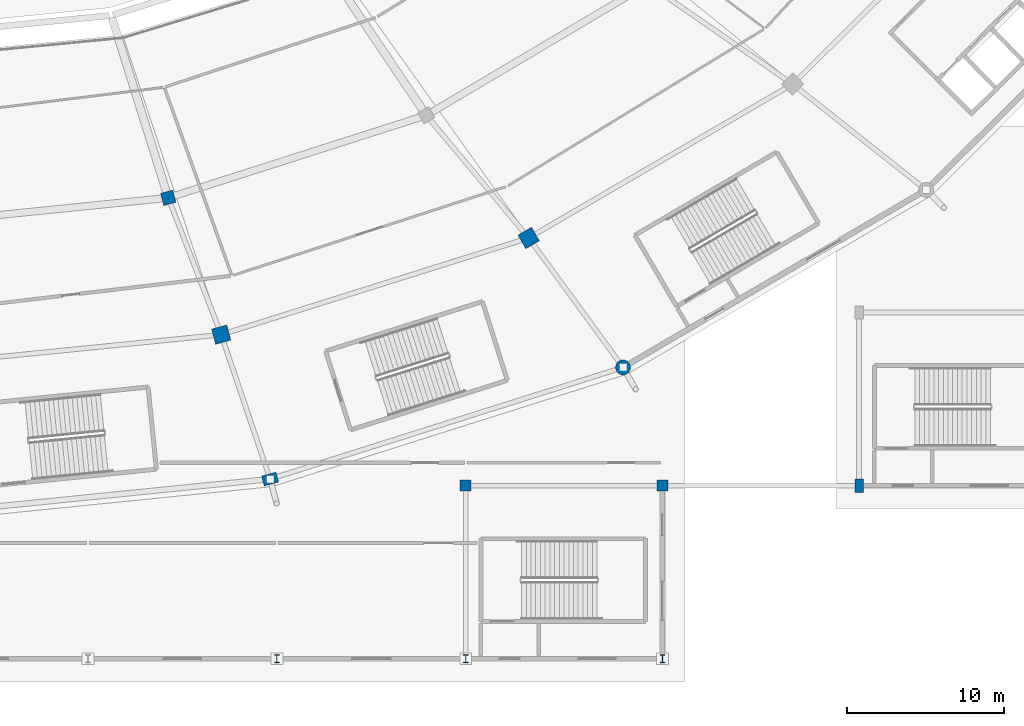
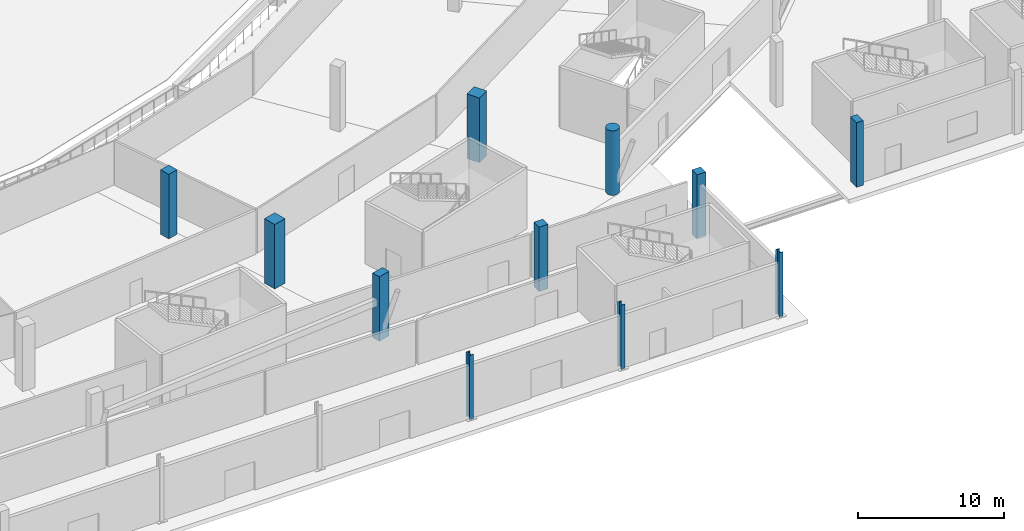
# One storey, part 11 of 82: 11 columns.
"""IFC4 building model written with IfcOpenShell, lengths in metres."""

from ifc_helpers import new_model, si_unit, direction, frame, origin, origin_2d, place, context, subcontext, project, spatial, rectangle, circle, i_section, extrude, material, material_profile, profile_set, type_object, element, save


model = new_model("IFC4")

# Units and contexts
model_context = context("Model", 3, precision=1e-05, world=origin(), true_north=direction((0.0, 1.0)))
body_context = subcontext(model_context, "Body", "Model", "MODEL_VIEW")
ifc_project = project(units=[si_unit("LENGTHUNIT", "METRE"), si_unit("AREAUNIT", "SQUARE_METRE"), si_unit("VOLUMEUNIT", "CUBIC_METRE"), si_unit("PLANEANGLEUNIT", "RADIAN"), si_unit("MASSUNIT", "GRAM", prefix="KILO")], contexts=[model_context])

# Site, building, storey
site_placement = place(None, origin())
site = spatial("IfcSite", under=ifc_project, at=site_placement, CompositionType="ELEMENT")
building_placement = place(site_placement, origin())
building = spatial("IfcBuilding", under=site, at=building_placement, Name="Zlatoyarsky Gate Stadium", CompositionType="ELEMENT")
storey_placement = place(building_placement, origin())
storey = spatial("IfcBuildingStorey", under=building, at=storey_placement, Name="L00", CompositionType="ELEMENT", Elevation=0.0)

# Columns
ifc_material_1 = material(Name="Concrete C40/50", Category="concrete")
ifc_material_profile_1 = material_profile(ifc_material_1, circle(Radius=0.47509765625, at=origin_2d()), Name="RC COL D950")
ifc_profile_set_1 = profile_set([ifc_material_profile_1], Name="Concrete C40/50")
column_type_1 = type_object("IfcColumnType", Name="CONCRETE CIRCULAR COLUMN D950", PredefinedType="COLUMN", material=ifc_profile_set_1)
column_1_placement = place(storey_placement, frame((157.5, 18.51220703125, 0.0), z_axis=(0.0, 0.0, 1.0), x_axis=(0.5, -0.866025403784, 0.0)))
element("IfcColumn", 1, at=column_1_placement, inside=storey, type_object=column_type_1, Name="Column RC-CD95 RC-20 on L00", PredefinedType="COLUMN", context=body_context, shape_type="SweptSolid", body=[
    extrude(circle(Radius=0.47509765625, at=origin_2d()), origin(), (0.0, 0.0, 1.0), 5.39990234375),
])
ifc_material_profile_2 = material_profile(ifc_material_1, rectangle(XDim=1.0, YDim=1.0, at=origin_2d()), Name="RC COL 1000X1000")
ifc_profile_set_2 = profile_set([ifc_material_profile_2], Name="Concrete C40/50")
column_type_2 = type_object("IfcColumnType", Name="CONCRETE COLUMN 1000X1000", PredefinedType="COLUMN", material=ifc_profile_set_2)
for number, where, z_axis, x_axis, name in (
    (2, (131.96435546875, 20.595703125, 0.0), (0.0, 0.0, 1.0), (0.258819045103, -0.965925826289, 0.0), "Column RC-C100 RB-19 on L00"),
    (3, (151.5, 26.739501953125, 0.0), (0.0, 0.0, 1.0), (0.5, -0.866025403784, 0.0), "Column RC-C100 RB-20 on L00"),
):
    element("IfcColumn", number, at=place(storey_placement, frame(where, z_axis=z_axis, x_axis=x_axis)), inside=storey, type_object=column_type_2, Name=name, PredefinedType="COLUMN", context=body_context, shape_type="SweptSolid", body=[
        extrude(rectangle(XDim=1.0, YDim=1.0, at=origin_2d()), origin(), (0.0, 0.0, 1.0), 5.39990234375),
    ])
ifc_material_profile_3 = material_profile(ifc_material_1, rectangle(XDim=0.699951171875, YDim=0.699951171875, at=origin_2d()), Name="RC COL 700X700")
ifc_profile_set_3 = profile_set([ifc_material_profile_3], Name="Concrete C40/50")
column_type_3 = type_object("IfcColumnType", Name="CONCRETE COLUMN 700X700", PredefinedType="COLUMN", material=ifc_profile_set_3)
for number, where, z_axis, x_axis, name in (
    (4, (147.5, 11.0, 0.0), (0.0, 0.0, 1.0), (1.0, 0.0, 0.0), "Column RC-C70 WG-13-B on L00"),
    (5, (160.0, 11.0, 0.0), (0.0, 0.0, 1.0), (1.0, 0.0, 0.0), "Column RC-C70 WG-14-B on L00"),
):
    element("IfcColumn", number, at=place(storey_placement, frame(where, z_axis=z_axis, x_axis=x_axis)), inside=storey, type_object=column_type_3, Name=name, PredefinedType="COLUMN", context=body_context, shape_type="SweptSolid", body=[
        extrude(rectangle(XDim=0.699951171875, YDim=0.699951171875, at=origin_2d()), origin(), (0.0, 0.0, 1.0), 5.39990234375),
    ])
ifc_material_profile_4 = material_profile(ifc_material_1, rectangle(XDim=0.800048828125, YDim=0.800048828125, at=origin_2d()), Name="RC COL 800X800")
ifc_profile_set_4 = profile_set([ifc_material_profile_4], Name="Concrete C40/50")
column_type_4 = type_object("IfcColumnType", Name="CONCRETE COLUMN 800X800", PredefinedType="COLUMN", material=ifc_profile_set_4)
column_2_placement = place(storey_placement, frame((128.599609375, 29.288818359375, 0.0), z_axis=(0.0, 0.0, 1.0), x_axis=(0.258819045103, -0.965925826289, 0.0)))
element("IfcColumn", 6, at=column_2_placement, inside=storey, type_object=column_type_4, Name="Column RC-C80 RA-19 on L00", PredefinedType="COLUMN", context=body_context, shape_type="SweptSolid", body=[
    extrude(rectangle(XDim=0.800048828125, YDim=0.800048828125, at=origin_2d()), origin(), (0.0, 0.0, 1.0), 5.39990234375),
])
ifc_material_profile_5 = material_profile(ifc_material_1, rectangle(XDim=0.550048828125, YDim=0.85009765625, at=origin_2d()), Name="RC PILASTER 550X850")
ifc_profile_set_5 = profile_set([ifc_material_profile_5], Name="Concrete C40/50")
column_type_5 = type_object("IfcColumnType", Name="CONCRETE PORTAL PILASTER 550X850", PredefinedType="PILASTER", material=ifc_profile_set_5)
column_3_placement = place(storey_placement, frame((172.5, 11.0, 0.0), z_axis=(0.0, 0.0, 1.0), x_axis=(1.0, 0.0, 0.0)))
element("IfcColumn", 7, at=column_3_placement, inside=storey, type_object=column_type_5, Name="Column RC-PL85 WG-15-B on L00", PredefinedType="PILASTER", context=body_context, shape_type="SweptSolid", body=[
    extrude(rectangle(XDim=0.550048828125, YDim=0.85009765625, at=origin_2d()), origin(), (0.0, 0.0, 1.0), 5.39990234375),
])
ifc_material_profile_6 = material_profile(ifc_material_1, rectangle(XDim=0.64990234375, YDim=0.949951171875, at=origin_2d()), Name="RC PILASTER 650X950")
ifc_profile_set_6 = profile_set([ifc_material_profile_6], Name="Concrete C40/50")
column_type_6 = type_object("IfcColumnType", Name="CONCRETE PORTAL PILASTER 650X950", PredefinedType="PILASTER", material=ifc_profile_set_6)
column_4_placement = place(storey_placement, frame((135.0703125, 11.419189453125, 0.0), z_axis=(0.0, 0.0, 1.0), x_axis=(0.258819045103, -0.965925826289, 0.0)))
element("IfcColumn", 8, at=column_4_placement, inside=storey, type_object=column_type_6, Name="Column RC-PL95 RC-19 on L00", PredefinedType="PILASTER", context=body_context, shape_type="SweptSolid", body=[
    extrude(rectangle(XDim=0.64990234375, YDim=0.949951171875, at=origin_2d()), origin(), (0.0, 0.0, 1.0), 5.39990234375),
])
ifc_material_2 = material(Name="Steel S355", Category="steel")
ifc_material_profile_7 = material_profile(ifc_material_2, i_section(OverallWidth=0.300048828125, OverallDepth=0.5, WebThickness=0.014404296875, FlangeThickness=0.028076171875, FilletRadius=0.027099609375, at=origin_2d()), Name="HEB 500")
ifc_profile_set_7 = profile_set([ifc_material_profile_7], Name="Steel S355")
column_type_7 = type_object("IfcColumnType", Name="STEEL COLUMN HEB 500", PredefinedType="COLUMN", material=ifc_profile_set_7)
for number, where, z_axis, x_axis, name in (
    (9, (135.5, 0.0, 0.0), (0.0, 0.0, 1.0), (1.0, 0.0, 0.0), "Column ST-C500 WG-12-A on L00"),
    (10, (147.5, 0.0, 0.0), (0.0, 0.0, 1.0), (1.0, 0.0, 0.0), "Column ST-C500 WG-13-A on L00"),
    (11, (160.0, 0.0, 0.0), (0.0, 0.0, 1.0), (1.0, 0.0, 0.0), "Column ST-C500 WG-14-A on L00"),
):
    element("IfcColumn", number, at=place(storey_placement, frame(where, z_axis=z_axis, x_axis=x_axis)), inside=storey, type_object=column_type_7, Name=name, PredefinedType="COLUMN", context=body_context, shape_type="SweptSolid", body=[
        extrude(i_section(OverallWidth=0.300048828125, OverallDepth=0.5, WebThickness=0.014404296875, FlangeThickness=0.028076171875, FilletRadius=0.027099609375, at=origin_2d()), origin(), (0.0, 0.0, 1.0), 5.39990234375),
    ])

save(model, "model.ifc")
